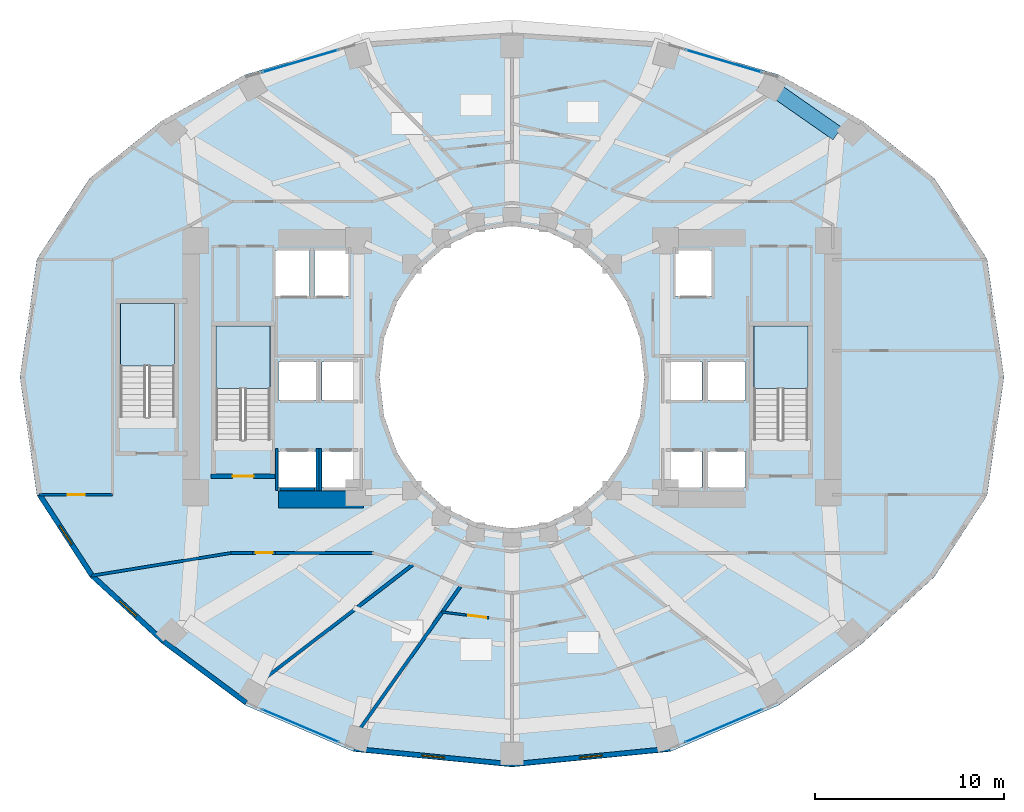
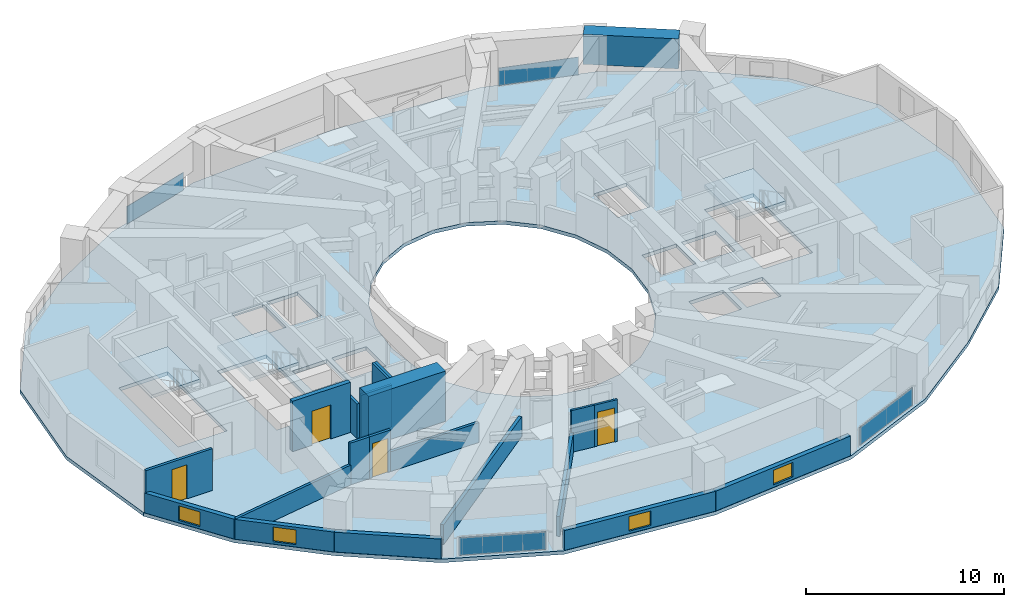
# One storey, part 8 of 16: 20 walls, 4 doors, 4 plates, 4 slabs, 4 windows, 1 beam, 8 openings, 7 elements without a shape of their own.
"""IFC4 building model written with IfcOpenShell, lengths in metres."""

from ifc_helpers import new_model, si_unit, direction, frame, frame_2d, origin, origin_2d, place, context, subcontext, project, spatial, polyline, rectangle, outline, extrude, material, layer, layer_set, material_profile, profile_set, type_object, element, fill, aggregate, save


model = new_model("IFC4")

# Units and contexts
model_context = context("Model", 3, precision=1e-05, world=origin(), true_north=direction((0.0, 1.0)))
body_context = subcontext(model_context, "Body", "Model", "MODEL_VIEW")
ifc_project = project(units=[si_unit("LENGTHUNIT", "METRE"), si_unit("AREAUNIT", "SQUARE_METRE"), si_unit("VOLUMEUNIT", "CUBIC_METRE"), si_unit("PLANEANGLEUNIT", "RADIAN"), si_unit("MASSUNIT", "GRAM", prefix="KILO")], contexts=[model_context])

# Site, building, storey
site_placement = place(None, origin())
site = spatial("IfcSite", under=ifc_project, at=site_placement, CompositionType="ELEMENT")
building_placement = place(site_placement, origin())
building = spatial("IfcBuilding", under=site, at=building_placement, Name="Solvane Sanctuary Tower", CompositionType="ELEMENT")
storey_placement = place(building_placement, frame((0.0, 0.0, 61.699951171875)))
storey = spatial("IfcBuildingStorey", under=building, at=storey_placement, Name="L18", CompositionType="ELEMENT", Elevation=61.699951171875)

# Beam
ifc_material_1 = material(Name="Concrete C70/85", Category="concrete")
ifc_material_profile = material_profile(ifc_material_1, rectangle(XDim=0.800048828125, YDim=1.85009765625, at=origin_2d()), Name="RC800X1850")
ifc_profile_set = profile_set([ifc_material_profile], Name="Concrete C70/85")
beam_type = type_object("IfcBeamType", Name="Beam B-XFER-BLK RC800X1850", PredefinedType="BEAM", material=ifc_profile_set)
beam_placement = place(storey_placement, frame((45.221435546875, 38.647216796875, 2.175048828125), z_axis=(0.820142352305, -0.57215952492, 0.0), x_axis=(0.57215952492, 0.820142352305, 0.0)))
element("IfcBeam", 1, at=beam_placement, inside=storey, type_object=beam_type, Name="L18 Perimeter Step Transfer Ring NTC02-NTC01", PredefinedType="BEAM", context=body_context, shape_type="SweptSolid", body=[
    extrude(rectangle(XDim=0.800048828125, YDim=1.85009765625, at=origin_2d()), origin(), (0.0, 0.0, 1.0), 4.8447265625),
])

# Curtain wall, plate
ifc_material_2 = material(Name="Anodised Aluminium 6063-T6", Category="aluminium")
ifc_layer_1 = layer(ifc_material_2, 0.169921875, Name="Anodised Aluminium 6063-T6")
ifc_layer_set_1 = layer_set([ifc_layer_1], Name="Anodised Aluminium 6063-T6")
curtain_wall_type = type_object("IfcCurtainWallType", Name="Curtain Wall CW-FRIT-Z1", PredefinedType="NOTDEFINED", material=ifc_layer_set_1)
curtain_wall_1_placement = place(storey_placement, origin())
curtain_wall_1 = element("IfcCurtainWall", 2, at=curtain_wall_1_placement, inside=storey, type_object=curtain_wall_type, Name="L18 CW-FRIT-Z1 Facade Run 04", PredefinedType="NOTDEFINED")
ifc_material_3 = material(Name="Dark Ceramic-Fritted Low-E Glass", Category="glass")
ifc_layer_2 = layer(ifc_material_3, 0.031982421875, Name="Dark Ceramic-Fritted Low-E Glass")
ifc_layer_set_2 = layer_set([ifc_layer_2], Name="Dark Ceramic-Fritted Low-E Glass")
plate_type = type_object("IfcPlateType", Name="Plate PN-FRIT-VIS", PredefinedType="CURTAIN_PANEL", material=ifc_layer_set_2)
plate_1_placement = place(storey_placement, frame((43.18701171875, 39.70751953125, 0.06494140625), z_axis=(0.0, 0.0, 1.0), x_axis=(-0.958843218866, 0.283936052018, 0.0)))
plate_1 = element("IfcPlate", 3, at=plate_1_placement, type_object=plate_type, Name="CW-FRIT-Z1 panel 1.1", PredefinedType="CURTAIN_PANEL", context=body_context, shape_type="SweptSolid", body=[
    extrude(rectangle(XDim=4.16552734375, YDim=0.031982421875, at=origin_2d()), origin(), (0.0, 0.0, 1.0), 1.090087890625),
])
aggregate(curtain_wall_1, [plate_1])

curtain_wall_2_placement = place(storey_placement, origin())
curtain_wall_2 = element("IfcCurtainWall", 4, at=curtain_wall_2_placement, inside=storey, type_object=curtain_wall_type, Name="L18 CW-FRIT-Z1 Facade Run 07", PredefinedType="NOTDEFINED")
plate_2_placement = place(storey_placement, frame((20.81298828125, 39.70751953125, 0.06494140625), z_axis=(0.0, 0.0, 1.0), x_axis=(-0.958843218866, -0.283936052018, 0.0)))
plate_2 = element("IfcPlate", 5, at=plate_2_placement, type_object=plate_type, Name="CW-FRIT-Z1 panel 1.1", PredefinedType="CURTAIN_PANEL", context=body_context, shape_type="SweptSolid", body=[
    extrude(rectangle(XDim=4.16552734375, YDim=0.031982421875, at=origin_2d()), origin(), (0.0, 0.0, 1.0), 1.090087890625),
])
aggregate(curtain_wall_2, [plate_2])

curtain_wall_3_placement = place(storey_placement, origin())
curtain_wall_3 = element("IfcCurtainWall", 6, at=curtain_wall_3_placement, inside=storey, type_object=curtain_wall_type, Name="L18 CW-FRIT-Z1 Facade Run 16", PredefinedType="NOTDEFINED")
plate_3_placement = place(storey_placement, frame((20.81298828125, 4.58349609375, 0.06494140625), z_axis=(0.0, 0.0, 1.0), x_axis=(0.919615259597, -0.392820282466, 0.0)))
plate_3 = element("IfcPlate", 7, at=plate_3_placement, type_object=plate_type, Name="CW-FRIT-Z1 panel 1.1", PredefinedType="CURTAIN_PANEL", context=body_context, shape_type="SweptSolid", body=[
    extrude(rectangle(XDim=4.41943359375, YDim=0.031982421875, at=origin_2d()), origin(), (0.0, 0.0, 1.0), 1.090087890625),
])
aggregate(curtain_wall_3, [plate_3])

curtain_wall_4_placement = place(storey_placement, origin())
curtain_wall_4 = element("IfcCurtainWall", 8, at=curtain_wall_4_placement, inside=storey, type_object=curtain_wall_type, Name="L18 CW-FRIT-Z1 Facade Run 19", PredefinedType="NOTDEFINED")
plate_4_placement = place(storey_placement, frame((43.18701171875, 4.58349609375, 0.06494140625), z_axis=(0.0, 0.0, 1.0), x_axis=(0.919615259597, 0.392820282466, 0.0)))
plate_4 = element("IfcPlate", 9, at=plate_4_placement, type_object=plate_type, Name="CW-FRIT-Z1 panel 1.1", PredefinedType="CURTAIN_PANEL", context=body_context, shape_type="SweptSolid", body=[
    extrude(rectangle(XDim=4.41943359375, YDim=0.031982421875, at=origin_2d()), origin(), (0.0, 0.0, 1.0), 1.090087890625),
])
aggregate(curtain_wall_4, [plate_4])

# Stair, slab
ifc_material_4 = material(Name="Concrete C45/55", Category="concrete")
stair_type = type_object("IfcStairType", Name="Stair ST-TOW", PredefinedType="HALF_TURN_STAIR", material=ifc_material_4)
stair_1_placement = place(storey_placement, origin())
stair_1 = element("IfcStair", 10, at=stair_1_placement, inside=storey, type_object=stair_type, Name="L18 Exit Stair ST-1 West Core", PredefinedType="HALF_TURN_STAIR")
ifc_layer_3 = layer(ifc_material_4, 0.199951171875, Name="Concrete C45/55")
ifc_layer_set_3 = layer_set([ifc_layer_3], Name="Concrete C45/55")
slab_type_1 = type_object("IfcSlabType", Name="Slab SL-LAND-180", PredefinedType="LANDING", material=ifc_layer_set_3)
slab_1_placement = place(storey_placement, frame((0.0, 0.0, 1.35009765625)))
slab_1 = element("IfcSlab", 11, at=slab_1_placement, type_object=slab_type_1, Name="ST-1 landing 1", PredefinedType="LANDING", context=body_context, shape_type="SweptSolid", body=[
    extrude(outline(polyline([(19.219970703125, 22.39990234375), (19.219970703125, 25.699951171875), (16.360107421875, 25.699951171875), (16.360107421875, 22.39990234375), (19.219970703125, 22.39990234375)])), origin(), (0.0, 0.0, 1.0), 0.199951171875),
])
aggregate(stair_1, [slab_1])

stair_2_placement = place(storey_placement, origin())
stair_2 = element("IfcStair", 12, at=stair_2_placement, inside=storey, type_object=stair_type, Name="L18 Exit Stair ST-2 East Core", PredefinedType="HALF_TURN_STAIR")
slab_2_placement = place(storey_placement, frame((0.0, 0.0, 1.35009765625)))
slab_2 = element("IfcSlab", 13, at=slab_2_placement, type_object=slab_type_1, Name="ST-2 landing 1", PredefinedType="LANDING", context=body_context, shape_type="SweptSolid", body=[
    extrude(outline(polyline([(47.639892578125, 22.39990234375), (47.639892578125, 25.699951171875), (44.780029296875, 25.699951171875), (44.780029296875, 22.39990234375), (47.639892578125, 22.39990234375)])), origin(), (0.0, 0.0, 1.0), 0.199951171875),
])
aggregate(stair_2, [slab_2])

stair_3_placement = place(storey_placement, origin())
stair_3 = element("IfcStair", 14, at=stair_3_placement, inside=storey, type_object=stair_type, Name="L18 Exit Stair ST-3 Pilgrim Tower Stair", PredefinedType="HALF_TURN_STAIR")
slab_3_placement = place(storey_placement, frame((0.0, 0.0, 1.35009765625)))
slab_3 = element("IfcSlab", 15, at=slab_3_placement, type_object=slab_type_1, Name="ST-3 landing 1", PredefinedType="LANDING", context=body_context, shape_type="SweptSolid", body=[
    extrude(outline(polyline([(14.159912109375, 23.60009765625), (14.159912109375, 26.89990234375), (11.300048828125, 26.89990234375), (11.300048828125, 23.60009765625), (14.159912109375, 23.60009765625)])), origin(), (0.0, 0.0, 1.0), 0.199951171875),
])
aggregate(stair_3, [slab_3])

# Slab
ifc_layer_4 = layer(ifc_material_4, 0.219970703125, Name="Concrete C45/55")
ifc_layer_set_4 = layer_set([ifc_layer_4], Name="Concrete C45/55")
slab_type_2 = type_object("IfcSlabType", Name="Slab SL-TOW-220", PredefinedType="FLOOR", material=ifc_layer_set_4)
slab_4_placement = place(storey_placement, frame((0.0, 0.0, -0.219970703125)))
element("IfcSlab", 16, at=slab_4_placement, inside=storey, type_object=slab_type_2, Name="L18 Primary Structural Slab", PredefinedType="FLOOR", context=body_context, shape_type="SweptSolid", body=[
    extrude(outline(polyline([(58.0, 23.0), (57.101806640625, 29.25048828125), (54.31396484375, 33.516845703125), (50.504150390625, 36.547607421875), (46.1181640625, 38.977294921875), (40.376708984375, 40.6806640625), (32.0, 41.199951171875), (23.623291015625, 40.6806640625), (17.8818359375, 38.977294921875), (13.495849609375, 36.547607421875), (9.68603515625, 33.516845703125), (6.898193359375, 29.25048828125), (6.0, 23.0), (6.898193359375, 16.74951171875), (9.68603515625, 12.4482421875), (13.495849609375, 8.933837890625), (17.8818359375, 5.677978515625), (23.623291015625, 3.22119140625), (32.0, 2.39990234375), (40.376708984375, 3.22119140625), (46.1181640625, 5.677978515625), (50.504150390625, 8.933837890625), (54.31396484375, 12.4482421875), (57.101806640625, 16.74951171875), (58.0, 23.0)]), holes=[polyline([(38.761474609375, 20.929443359375), (38.062255859375, 19.0), (36.94970703125, 17.343017578125), (35.5, 16.07177734375), (33.811767578125, 15.272705078125), (32.0, 15.0), (30.188232421875, 15.272705078125), (28.5, 16.07177734375), (27.05029296875, 17.343017578125), (25.937744140625, 19.0), (25.238525390625, 20.929443359375), (25.0, 23.0), (25.238525390625, 25.070556640625), (25.937744140625, 27.0), (27.05029296875, 28.656982421875), (28.5, 29.92822265625), (30.188232421875, 30.727294921875), (32.0, 31.0), (33.811767578125, 30.727294921875), (35.5, 29.92822265625), (36.94970703125, 28.656982421875), (38.062255859375, 27.0), (38.761474609375, 25.070556640625), (39.0, 23.0), (38.761474609375, 20.929443359375)]), polyline([(16.360107421875, 19.699951171875), (16.360107421875, 25.699951171875), (19.219970703125, 25.699951171875), (19.219970703125, 19.699951171875), (16.360107421875, 19.699951171875)]), polyline([(44.780029296875, 19.699951171875), (44.780029296875, 25.699951171875), (47.639892578125, 25.699951171875), (47.639892578125, 19.699951171875), (44.780029296875, 19.699951171875)]), polyline([(11.300048828125, 20.89990234375), (11.300048828125, 26.89990234375), (14.159912109375, 26.89990234375), (14.159912109375, 20.89990234375), (11.300048828125, 20.89990234375)]), polyline([(19.64990234375, 19.080078125), (21.64990234375, 19.080078125), (21.64990234375, 17.179931640625), (19.64990234375, 17.179931640625), (19.64990234375, 19.080078125)]), polyline([(21.949951171875, 19.080078125), (23.949951171875, 19.080078125), (23.949951171875, 17.179931640625), (21.949951171875, 17.179931640625), (21.949951171875, 19.080078125)]), polyline([(40.050048828125, 19.080078125), (42.050048828125, 19.080078125), (42.050048828125, 17.179931640625), (40.050048828125, 17.179931640625), (40.050048828125, 19.080078125)]), polyline([(42.35009765625, 19.080078125), (44.35009765625, 19.080078125), (44.35009765625, 17.179931640625), (42.35009765625, 17.179931640625), (42.35009765625, 19.080078125)]), polyline([(19.64990234375, 23.800048828125), (21.64990234375, 23.800048828125), (21.64990234375, 21.800048828125), (19.64990234375, 21.800048828125), (19.64990234375, 23.800048828125)]), polyline([(42.35009765625, 23.800048828125), (44.35009765625, 23.800048828125), (44.35009765625, 21.800048828125), (42.35009765625, 21.800048828125), (42.35009765625, 23.800048828125)]), polyline([(21.949951171875, 23.800048828125), (23.949951171875, 23.800048828125), (23.949951171875, 21.800048828125), (21.949951171875, 21.800048828125), (21.949951171875, 23.800048828125)]), polyline([(40.050048828125, 23.800048828125), (42.050048828125, 23.800048828125), (42.050048828125, 21.800048828125), (40.050048828125, 21.800048828125), (40.050048828125, 23.800048828125)]), polyline([(19.5, 29.699951171875), (21.300048828125, 29.699951171875), (21.300048828125, 27.300048828125), (19.5, 27.300048828125), (19.5, 29.699951171875)]), polyline([(21.550048828125, 29.699951171875), (23.35009765625, 29.699951171875), (23.35009765625, 27.300048828125), (21.550048828125, 27.300048828125), (21.550048828125, 29.699951171875)]), polyline([(40.64990234375, 29.699951171875), (42.550048828125, 29.699951171875), (42.550048828125, 27.300048828125), (40.64990234375, 27.300048828125), (40.64990234375, 29.699951171875)])]), origin(), (0.0, 0.0, 1.0), 0.219970703125),
])

# Wall
ifc_layer_5 = layer(ifc_material_1, 0.89990234375, Name="Concrete C70/85")
ifc_layer_set_5 = layer_set([ifc_layer_5], Name="Concrete C70/85")
wall_type_1 = type_object("IfcWallType", Name="Wall W-CORE-900", PredefinedType="SHEAR", material=ifc_layer_set_5)
wall_1_placement = place(storey_placement, frame((19.64990234375, 16.550048828125, 0.0), z_axis=(0.0, 0.0, 1.0), x_axis=(1.0, 0.0, 0.0)))
element("IfcWall", 17, at=wall_1_placement, inside=storey, type_object=wall_type_1, Name="L18 Core Shear Wall WC-S", PredefinedType="SHEAR", context=body_context, shape_type="SweptSolid", body=[
    extrude(rectangle(XDim=4.5, YDim=0.89990234375, at=frame_2d((2.25, 0.0))), origin(), (0.0, 0.0, 1.0), 3.10009765625),
])

# Wall, opening, door
ifc_material_5 = material(Name="Acoustic Gypsum Partition Board")
ifc_layer_6 = layer(ifc_material_5, 0.14990234375, Name="Acoustic Gypsum Partition Board")
ifc_layer_set_6 = layer_set([ifc_layer_6], Name="Acoustic Gypsum Partition Board")
wall_type_2 = type_object("IfcWallType", Name="Wall W-CORR-150", PredefinedType="PARTITIONING", material=ifc_layer_set_6)
wall_2_placement = place(storey_placement, frame((7.013671875, 16.788330078125, 0.0), z_axis=(0.0, 0.0, 1.0), x_axis=(1.0, 0.0, 0.0)))
wall_2 = element("IfcWall", 18, at=wall_2_placement, inside=storey, type_object=wall_type_2, Name="L18 West Shoulder South Wall", PredefinedType="PARTITIONING", context=body_context, shape_type="SweptSolid", body=[
    extrude(rectangle(XDim=3.8662109375, YDim=0.14990234375, at=frame_2d((1.93310546875, 0.0))), origin(), (0.0, 0.0, 1.0), 2.574951171875),
])
opening_1_placement = place(wall_2_placement, frame((1.503173828125, 0.0, 0.0)))
opening_1 = element("IfcOpeningElement", 19, at=opening_1_placement, cuts=wall_2, Name="Opening D-L18-12", PredefinedType="OPENING", context=body_context, shape_type="SweptSolid", body=[
    extrude(rectangle(XDim=0.89990234375, YDim=2.10009765625, at=frame_2d((0.449951171875, 1.050048828125))), frame((0.0, 0.0849609375, 0.0), z_axis=(0.0, -1.0, 0.0), x_axis=(1.0, 0.0, 0.0)), (0.0, 0.0, 1.0), 0.169921875),
])
ifc_material_6 = material(Name="Engineered Tropical Hardwood", Category="wood")
door_type_1 = type_object("IfcDoorType", Name="Door D-WET-900", OperationType="NOTDEFINED", PredefinedType="DOOR", material=ifc_material_6)
door_1_placement = place(opening_1_placement, origin())
door_1 = element("IfcDoor", 20, at=door_1_placement, inside=storey, type_object=door_type_1, Name="L18 West Shoulder South Door", OperationType="SINGLE_SWING_LEFT", OverallHeight=2.10009765625, OverallWidth=0.89990234375, PredefinedType="DOOR", context=body_context, shape_type="SweptSolid", body=[
    extrude(rectangle(XDim=0.89990234375, YDim=2.10009765625, at=frame_2d((0.449951171875, 1.050048828125))), frame((0.0, 0.02490234375, 0.0), z_axis=(0.0, -1.0, 0.0), x_axis=(1.0, 0.0, 0.0)), (0.0, 0.0, 1.0), 0.050048828125),
])
fill(opening_1, door_1)

# Wall
wall_3_placement = place(storey_placement, frame((17.14990234375, 13.719970703125, 0.0), z_axis=(0.0, 0.0, 1.0), x_axis=(1.0, 0.0, 0.0)))
element("IfcWall", 21, at=wall_3_placement, inside=storey, type_object=wall_type_2, Name="L18 SW Corner Corridor Wall", PredefinedType="PARTITIONING", context=body_context, shape_type="SweptSolid", body=[
    extrude(rectangle(XDim=1.14013671875, YDim=0.14990234375, at=frame_2d((0.570068359375, 0.0))), origin(), (0.0, 0.0, 1.0), 2.574951171875),
])

# Wall, opening, door
wall_4_placement = place(storey_placement, frame((18.2900390625, 13.719970703125, 0.0), z_axis=(0.0, 0.0, 1.0), x_axis=(1.0, 0.0, 0.0)))
wall_4 = element("IfcWall", 22, at=wall_4_placement, inside=storey, type_object=wall_type_2, Name="L18 SW Corner Corridor Wall", PredefinedType="PARTITIONING", context=body_context, shape_type="SweptSolid", body=[
    extrude(rectangle(XDim=1.219970703125, YDim=0.14990234375, at=frame_2d((0.60986328125, 0.0))), origin(), (0.0, 0.0, 1.0), 2.574951171875),
])
opening_2_placement = place(wall_4_placement, frame((0.159912109375, 0.0, 0.0)))
opening_2 = element("IfcOpeningElement", 23, at=opening_2_placement, cuts=wall_4, Name="Opening D-L18-17", PredefinedType="OPENING", context=body_context, shape_type="SweptSolid", body=[
    extrude(rectangle(XDim=0.89990234375, YDim=2.10009765625, at=frame_2d((0.449951171875, 1.050048828125))), frame((0.0, 0.0849609375, 0.0), z_axis=(0.0, -1.0, 0.0), x_axis=(1.0, 0.0, 0.0)), (0.0, 0.0, 1.0), 0.169921875),
])
door_2_placement = place(opening_2_placement, origin())
door_2 = element("IfcDoor", 24, at=door_2_placement, inside=storey, type_object=door_type_1, Name="L18 SW Corner Salon Door", OperationType="SINGLE_SWING_RIGHT", OverallHeight=2.10009765625, OverallWidth=0.89990234375, PredefinedType="DOOR", context=body_context, shape_type="SweptSolid", body=[
    extrude(rectangle(XDim=0.89990234375, YDim=2.10009765625, at=frame_2d((0.449951171875, 1.050048828125))), frame((0.0, 0.02490234375, 0.0), z_axis=(0.0, -1.0, 0.0), x_axis=(1.0, 0.0, 0.0)), (0.0, 0.0, 1.0), 0.050048828125),
])
fill(opening_2, door_2)

# Walls
wall_5_placement = place(storey_placement, frame((19.510009765625, 13.719970703125, 0.0), z_axis=(0.0, 0.0, 1.0), x_axis=(1.0, 0.0, 0.0)))
element("IfcWall", 25, at=wall_5_placement, inside=storey, type_object=wall_type_2, Name="L18 SW Corner Corridor Wall", PredefinedType="PARTITIONING", context=body_context, shape_type="SweptSolid", body=[
    extrude(rectangle(XDim=5.159912109375, YDim=0.14990234375, at=frame_2d((2.580078125, 0.0))), origin(), (0.0, 0.0, 1.0), 1.219970703125),
])
wall_6_placement = place(storey_placement, frame((17.249267578125, 13.72802734375, 0.0), z_axis=(0.0, 0.0, 1.0), x_axis=(-0.98693078372, -0.161144742846, 0.0)))
element("IfcWall", 26, at=wall_6_placement, inside=storey, type_object=wall_type_2, Name="L18 SW Corner Wing Wall", PredefinedType="PARTITIONING", context=body_context, shape_type="SweptSolid", body=[
    extrude(rectangle(XDim=7.55712890625, YDim=0.14990234375, at=frame_2d((3.778564453125, 0.0))), origin(), (0.0, 0.0, 1.0), 1.219970703125),
])

# Wall, opening, window
ifc_material_7 = material(Name="Precast concrete C40/50", Category="concrete")
ifc_layer_7 = layer(ifc_material_7, 0.260009765625, Name="Precast concrete C40/50")
ifc_layer_set_7 = layer_set([ifc_layer_7], Name="Precast concrete C40/50")
wall_type_3 = type_object("IfcWallType", Name="Wall W-EXT-250", PredefinedType="STANDARD", material=ifc_layer_set_7)
wall_7_placement = place(storey_placement, frame((7.033447265625, 16.794677734375, 0.0), z_axis=(0.0, 0.0, 1.0), x_axis=(0.544578722263, -0.838709732421, 0.0)))
wall_7 = element("IfcWall", 27, at=wall_7_placement, inside=storey, type_object=wall_type_3, Name="L18 Ceramic-Printed Facade Wall 13", PredefinedType="STANDARD", context=body_context, shape_type="SweptSolid", body=[
    extrude(rectangle(XDim=5.091552734375, YDim=0.260009765625, at=frame_2d((2.5458984375, 0.0))), origin(), (0.0, 0.0, 1.0), 1.219970703125),
])
opening_3_placement = place(wall_7_placement, frame((1.94580078125, 0.0, 0.14990234375)))
opening_3 = element("IfcOpeningElement", 28, at=opening_3_placement, cuts=wall_7, Name="Opening WN-OPER-1200", PredefinedType="OPENING", context=body_context, shape_type="SweptSolid", body=[
    extrude(rectangle(XDim=1.199951171875, YDim=0.89990234375, at=frame_2d((0.60009765625, 0.449951171875))), frame((0.0, 0.139892578125, 0.0), z_axis=(0.0, -1.0, 0.0), x_axis=(1.0, 0.0, 0.0)), (0.0, 0.0, 1.0), 0.280029296875),
])
window_type = type_object("IfcWindowType", Name="Window WN-OPER-1200", PartitioningType="SINGLE_PANEL", PredefinedType="WINDOW", material=ifc_material_3)
window_1_placement = place(opening_3_placement, origin())
window_1 = element("IfcWindow", 29, at=window_1_placement, inside=storey, type_object=window_type, Name="L18 Operable Facade Window 13", OverallHeight=0.89990234375, OverallWidth=1.199951171875, PartitioningType="SINGLE_PANEL", PredefinedType="WINDOW", context=body_context, shape_type="SweptSolid", body=[
    extrude(rectangle(XDim=1.199951171875, YDim=0.89990234375, at=frame_2d((0.60009765625, 0.449951171875))), frame((0.0, 0.030029296875, 0.0), z_axis=(0.0, -1.0, 0.0), x_axis=(1.0, 0.0, 0.0)), (0.0, 0.0, 1.0), 0.06005859375),
])
fill(opening_3, window_1)

wall_8_placement = place(storey_placement, frame((9.80615234375, 12.5244140625, 0.0), z_axis=(0.0, 0.0, 1.0), x_axis=(0.735655109293, -0.67735630223, 0.0)))
wall_8 = element("IfcWall", 30, at=wall_8_placement, inside=storey, type_object=wall_type_3, Name="L18 Ceramic-Printed Facade Wall 14", PredefinedType="STANDARD", context=body_context, shape_type="SweptSolid", body=[
    extrude(rectangle(XDim=5.15087890625, YDim=0.260009765625, at=frame_2d((2.575439453125, 0.0))), origin(), (0.0, 0.0, 1.0), 1.219970703125),
])
opening_4_placement = place(wall_8_placement, frame((1.9755859375, 0.0, 0.14990234375)))
opening_4 = element("IfcOpeningElement", 31, at=opening_4_placement, cuts=wall_8, Name="Opening WN-OPER-1200", PredefinedType="OPENING", context=body_context, shape_type="SweptSolid", body=[
    extrude(rectangle(XDim=1.199951171875, YDim=0.89990234375, at=frame_2d((0.60009765625, 0.449951171875))), frame((0.0, 0.139892578125, 0.0), z_axis=(0.0, -1.0, 0.0), x_axis=(1.0, 0.0, 0.0)), (0.0, 0.0, 1.0), 0.280029296875),
])
window_2_placement = place(opening_4_placement, origin())
window_2 = element("IfcWindow", 32, at=window_2_placement, inside=storey, type_object=window_type, Name="L18 Operable Facade Window 14", OverallHeight=0.89990234375, OverallWidth=1.199951171875, PartitioningType="SINGLE_PANEL", PredefinedType="WINDOW", context=body_context, shape_type="SweptSolid", body=[
    extrude(rectangle(XDim=1.199951171875, YDim=0.89990234375, at=frame_2d((0.60009765625, 0.449951171875))), frame((0.0, 0.030029296875, 0.0), z_axis=(0.0, -1.0, 0.0), x_axis=(1.0, 0.0, 0.0)), (0.0, 0.0, 1.0), 0.06005859375),
])
fill(opening_4, window_2)

# Wall
wall_9_placement = place(storey_placement, frame((13.595458984375, 9.035400390625, 0.0), z_axis=(0.0, 0.0, 1.0), x_axis=(0.803477531792, -0.595335078679, 0.0)))
element("IfcWall", 33, at=wall_9_placement, inside=storey, type_object=wall_type_3, Name="L18 Ceramic-Printed Facade Wall 15", PredefinedType="STANDARD", context=body_context, shape_type="SweptSolid", body=[
    extrude(rectangle(XDim=5.4296875, YDim=0.260009765625, at=frame_2d((2.71484375, 0.0))), origin(), (0.0, 0.0, 1.0), 1.219970703125),
])

# Wall, opening, window
wall_10_placement = place(storey_placement, frame((23.668212890625, 3.36376953125, 0.0), z_axis=(0.0, 0.0, 1.0), x_axis=(0.995247718352, -0.097375454379, 0.0)))
wall_10 = element("IfcWall", 34, at=wall_10_placement, inside=storey, type_object=wall_type_3, Name="L18 Ceramic-Printed Facade Wall 17", PredefinedType="STANDARD", context=body_context, shape_type="SweptSolid", body=[
    extrude(rectangle(XDim=8.37158203125, YDim=0.260009765625, at=frame_2d((4.185791015625, 0.0))), origin(), (0.0, 0.0, 1.0), 1.219970703125),
])
opening_5_placement = place(wall_10_placement, frame((3.585693359375, 0.0, 0.14990234375)))
opening_5 = element("IfcOpeningElement", 35, at=opening_5_placement, cuts=wall_10, Name="Opening WN-OPER-1200", PredefinedType="OPENING", context=body_context, shape_type="SweptSolid", body=[
    extrude(rectangle(XDim=1.199951171875, YDim=0.89990234375, at=frame_2d((0.60009765625, 0.449951171875))), frame((0.0, 0.139892578125, 0.0), z_axis=(0.0, -1.0, 0.0), x_axis=(1.0, 0.0, 0.0)), (0.0, 0.0, 1.0), 0.280029296875),
])
window_3_placement = place(opening_5_placement, origin())
window_3 = element("IfcWindow", 36, at=window_3_placement, inside=storey, type_object=window_type, Name="L18 Operable Facade Window 17", OverallHeight=0.89990234375, OverallWidth=1.199951171875, PartitioningType="SINGLE_PANEL", PredefinedType="WINDOW", context=body_context, shape_type="SweptSolid", body=[
    extrude(rectangle(XDim=1.199951171875, YDim=0.89990234375, at=frame_2d((0.60009765625, 0.449951171875))), frame((0.0, 0.030029296875, 0.0), z_axis=(0.0, -1.0, 0.0), x_axis=(1.0, 0.0, 0.0)), (0.0, 0.0, 1.0), 0.06005859375),
])
fill(opening_5, window_3)

wall_11_placement = place(storey_placement, frame((32.0, 2.548583984375, 0.0), z_axis=(0.0, 0.0, 1.0), x_axis=(0.995247718352, 0.097375454379, 0.0)))
wall_11 = element("IfcWall", 37, at=wall_11_placement, inside=storey, type_object=wall_type_3, Name="L18 Ceramic-Printed Facade Wall 18", PredefinedType="STANDARD", context=body_context, shape_type="SweptSolid", body=[
    extrude(rectangle(XDim=8.37158203125, YDim=0.260009765625, at=frame_2d((4.185791015625, 0.0))), origin(), (0.0, 0.0, 1.0), 1.219970703125),
])
opening_6_placement = place(wall_11_placement, frame((3.585693359375, 0.0, 0.14990234375)))
opening_6 = element("IfcOpeningElement", 38, at=opening_6_placement, cuts=wall_11, Name="Opening WN-OPER-1200", PredefinedType="OPENING", context=body_context, shape_type="SweptSolid", body=[
    extrude(rectangle(XDim=1.199951171875, YDim=0.89990234375, at=frame_2d((0.60009765625, 0.449951171875))), frame((0.0, 0.139892578125, 0.0), z_axis=(0.0, -1.0, 0.0), x_axis=(1.0, 0.0, 0.0)), (0.0, 0.0, 1.0), 0.280029296875),
])
window_4_placement = place(opening_6_placement, origin())
window_4 = element("IfcWindow", 39, at=window_4_placement, inside=storey, type_object=window_type, Name="L18 Operable Facade Window 18", OverallHeight=0.89990234375, OverallWidth=1.199951171875, PartitioningType="SINGLE_PANEL", PredefinedType="WINDOW", context=body_context, shape_type="SweptSolid", body=[
    extrude(rectangle(XDim=1.199951171875, YDim=0.89990234375, at=frame_2d((0.60009765625, 0.449951171875))), frame((0.0, 0.030029296875, 0.0), z_axis=(0.0, -1.0, 0.0), x_axis=(1.0, 0.0, 0.0)), (0.0, 0.0, 1.0), 0.06005859375),
])
fill(opening_6, window_4)

# Wall
ifc_layer_8 = layer(ifc_material_5, 0.1201171875, Name="Acoustic Gypsum Partition Board")
ifc_layer_set_8 = layer_set([ifc_layer_8], Name="Acoustic Gypsum Partition Board")
wall_type_4 = type_object("IfcWallType", Name="Wall W-MOV-100", PredefinedType="MOVABLE", material=ifc_layer_set_8)
wall_12_placement = place(storey_placement, frame((28.2744140625, 10.595703125, 0.0), z_axis=(0.0, 0.0, 1.0), x_axis=(0.992227415201, -0.124437761642, 0.0)))
element("IfcWall", 40, at=wall_12_placement, inside=storey, type_object=wall_type_4, Name="L18 Suite Sitting Lounge Partition S2", PredefinedType="MOVABLE", context=body_context, shape_type="SweptSolid", body=[
    extrude(rectangle(XDim=1.267333984375, YDim=0.1201171875, at=frame_2d((0.6337890625, 0.0))), origin(), (0.0, 0.0, 1.0), 2.574951171875),
])

# Wall, opening, door
wall_13_placement = place(storey_placement, frame((29.531982421875, 10.43798828125, 0.0), z_axis=(0.0, 0.0, 1.0), x_axis=(0.992257157897, -0.124200372796, 0.0)))
wall_13 = element("IfcWall", 41, at=wall_13_placement, inside=storey, type_object=wall_type_4, Name="L18 Suite Sitting Lounge Partition S2", PredefinedType="MOVABLE", context=body_context, shape_type="SweptSolid", body=[
    extrude(rectangle(XDim=1.269775390625, YDim=0.1201171875, at=frame_2d((0.634765625, 0.0))), origin(), (0.0, 0.0, 1.0), 2.574951171875),
])
opening_7_placement = place(wall_13_placement, frame((0.159912109375, 0.0, 0.0)))
opening_7 = element("IfcOpeningElement", 42, at=opening_7_placement, cuts=wall_13, Name="Opening D-L18-27", PredefinedType="OPENING", context=body_context, shape_type="SweptSolid", body=[
    extrude(rectangle(XDim=0.949951171875, YDim=2.10009765625, at=frame_2d((0.47509765625, 1.050048828125))), frame((0.0, 0.070068359375, 0.0), z_axis=(0.0, -1.0, 0.0), x_axis=(1.0, 0.0, 0.0)), (0.0, 0.0, 1.0), 0.14013671875),
])
door_type_2 = type_object("IfcDoorType", Name="Door D-ROOM-950", OperationType="NOTDEFINED", PredefinedType="DOOR", material=ifc_material_6)
door_3_placement = place(opening_7_placement, origin())
door_3 = element("IfcDoor", 43, at=door_3_placement, inside=storey, type_object=door_type_2, Name="L18 Suite Sitting Lounge Door S2", OperationType="SINGLE_SWING_RIGHT", OverallHeight=2.10009765625, OverallWidth=0.949951171875, PredefinedType="DOOR", context=body_context, shape_type="SweptSolid", body=[
    extrude(rectangle(XDim=0.949951171875, YDim=2.10009765625, at=frame_2d((0.47509765625, 1.050048828125))), frame((0.0, 0.02490234375, 0.0), z_axis=(0.0, -1.0, 0.0), x_axis=(1.0, 0.0, 0.0)), (0.0, 0.0, 1.0), 0.050048828125),
])
fill(opening_7, door_3)

# Walls
ifc_material_8 = material(Name="Concrete C50/60", Category="concrete")
ifc_layer_9 = layer(ifc_material_8, 0.14990234375, Name="Concrete C50/60")
ifc_layer_set_9 = layer_set([ifc_layer_9], Name="Concrete C50/60")
wall_type_5 = type_object("IfcWallType", Name="Wall W-SHAFT-150", PredefinedType="SOLIDWALL", material=ifc_layer_set_9)
wall_14_placement = place(storey_placement, frame((19.739990234375, 17.10009765625, 0.0), z_axis=(0.0, 0.0, 1.0), x_axis=(1.0, 0.0, 0.0)))
element("IfcWall", 44, at=wall_14_placement, inside=storey, type_object=wall_type_5, Name="L18 PL-1 Lift Shaft Wall B", PredefinedType="SOLIDWALL", context=body_context, shape_type="SweptSolid", body=[
    extrude(rectangle(XDim=1.820068359375, YDim=0.14990234375, at=frame_2d((0.91015625, 0.0))), origin(), (0.0, 0.0, 1.0), 2.574951171875),
])
wall_15_placement = place(storey_placement, frame((19.570068359375, 17.02001953125, 0.0), z_axis=(0.0, 0.0, 1.0), x_axis=(0.0, 1.0, 0.0)))
element("IfcWall", 45, at=wall_15_placement, inside=storey, type_object=wall_type_5, Name="L18 PL-1 Lift Shaft Wall S1", PredefinedType="SOLIDWALL", context=body_context, shape_type="SweptSolid", body=[
    extrude(rectangle(XDim=2.219970703125, YDim=0.14990234375, at=frame_2d((1.10986328125, 0.0))), origin(), (0.0, 0.0, 1.0), 2.1201171875),
])
for number, where, z_axis, x_axis, name in (
    (46, (21.72998046875, 17.02001953125, 0.0), (0.0, 0.0, 1.0), (0.0, 1.0, 0.0), "L18 PL-1 Lift Shaft Wall S2"),
    (47, (21.8701171875, 17.02001953125, 0.0), (0.0, 0.0, 1.0), (0.0, 1.0, 0.0), "L18 PL-2 Lift Shaft Wall S1"),
):
    element("IfcWall", number, at=place(storey_placement, frame(where, z_axis=z_axis, x_axis=x_axis)), inside=storey, type_object=wall_type_5, Name=name, PredefinedType="SOLIDWALL", context=body_context, shape_type="SweptSolid", body=[
        extrude(rectangle(XDim=2.219970703125, YDim=0.14990234375, at=frame_2d((1.10986328125, 0.0))), origin(), (0.0, 0.0, 1.0), 2.574951171875),
    ])

# Wall, opening, door
ifc_layer_10 = layer(ifc_material_8, 0.25, Name="Concrete C50/60")
ifc_layer_set_10 = layer_set([ifc_layer_10], Name="Concrete C50/60")
wall_type_6 = type_object("IfcWallType", Name="Wall W-SHAFT-250", PredefinedType="SOLIDWALL", material=ifc_layer_set_10)
wall_16_placement = place(storey_placement, frame((16.10498046875, 17.77001953125, 0.0), z_axis=(0.0, 0.0, 1.0), x_axis=(1.0, 0.0, 0.0)))
wall_16 = element("IfcWall", 48, at=wall_16_placement, inside=storey, type_object=wall_type_6, Name="L18 ST-1 Load-Bearing Shaft Wall S", PredefinedType="SOLIDWALL", context=body_context, shape_type="SweptSolid", body=[
    extrude(rectangle(XDim=3.3701171875, YDim=0.25, at=frame_2d((1.68505859375, 0.0))), origin(), (0.0, 0.0, 1.0), 3.10009765625),
])
opening_8_placement = place(wall_16_placement, frame((1.135009765625, 0.0, 0.0)))
opening_8 = element("IfcOpeningElement", 49, at=opening_8_placement, cuts=wall_16, Name="Opening D-L18-01", PredefinedType="OPENING", context=body_context, shape_type="SweptSolid", body=[
    extrude(rectangle(XDim=1.10009765625, YDim=2.10009765625, at=frame_2d((0.550048828125, 1.050048828125))), frame((0.0, 0.135009765625, 0.0), z_axis=(0.0, -1.0, 0.0), x_axis=(1.0, 0.0, 0.0)), (0.0, 0.0, 1.0), 0.27001953125),
])
ifc_material_9 = material(Name="Architectural Stainless Steel 316", Category="steel")
door_type_3 = type_object("IfcDoorType", Name="Door D-STAIR", OperationType="NOTDEFINED", PredefinedType="DOOR", material=ifc_material_9)
door_4_placement = place(opening_8_placement, origin())
door_4 = element("IfcDoor", 50, at=door_4_placement, inside=storey, type_object=door_type_3, Name="L18 ST-1 Exit Stair Fire Door", OperationType="SINGLE_SWING_RIGHT", OverallHeight=2.10009765625, OverallWidth=1.10009765625, PredefinedType="DOOR", context=body_context, shape_type="SweptSolid", body=[
    extrude(rectangle(XDim=1.10009765625, YDim=2.10009765625, at=frame_2d((0.550048828125, 1.050048828125))), frame((0.0, 0.02490234375, 0.0), z_axis=(0.0, -1.0, 0.0), x_axis=(1.0, 0.0, 0.0)), (0.0, 0.0, 1.0), 0.050048828125),
])
fill(opening_8, door_4)

# Walls
ifc_layer_11 = layer(ifc_material_5, 0.179931640625, Name="Acoustic Gypsum Partition Board")
ifc_layer_set_11 = layer_set([ifc_layer_11], Name="Acoustic Gypsum Partition Board")
wall_type_7 = type_object("IfcWallType", Name="Wall W-UNIT-180", PredefinedType="PARTITIONING", material=ifc_layer_set_11)
wall_17_placement = place(storey_placement, frame((26.75146484375, 13.085205078125, 0.0), z_axis=(0.0, 0.0, 1.0), x_axis=(-0.793181014702, -0.608985942298, 0.0)))
element("IfcWall", 51, at=wall_17_placement, inside=storey, type_object=wall_type_7, Name="L18 Radial Compartment Wall 240", PredefinedType="PARTITIONING", context=body_context, shape_type="SweptSolid", body=[
    extrude(rectangle(XDim=10.323974609375, YDim=0.179931640625, at=frame_2d((5.162109375, 0.0))), origin(), (0.0, 0.0, 1.0), 1.219970703125),
])
wall_18_placement = place(storey_placement, frame((29.27392578125, 11.933837890625, 0.0), z_axis=(0.0, 0.0, 1.0), x_axis=(-0.577036915124, -0.816718065543, 0.0)))
element("IfcWall", 52, at=wall_18_placement, inside=storey, type_object=wall_type_7, Name="L18 Radial Compartment Wall 255", PredefinedType="PARTITIONING", context=body_context, shape_type="SweptSolid", body=[
    extrude(rectangle(XDim=9.130859375, YDim=0.179931640625, at=frame_2d((4.5654296875, 0.0))), origin(), (0.0, 0.0, 1.0), 1.219970703125),
])

save(model, "model.ifc")
